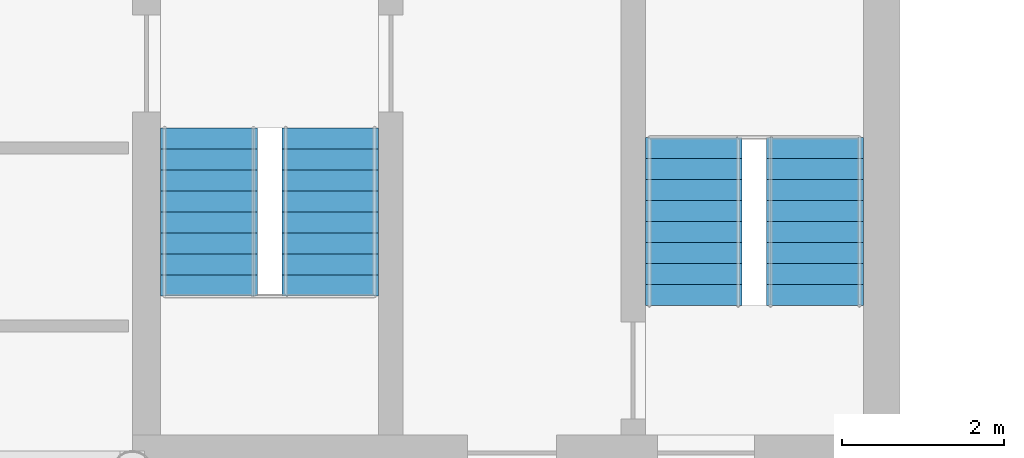
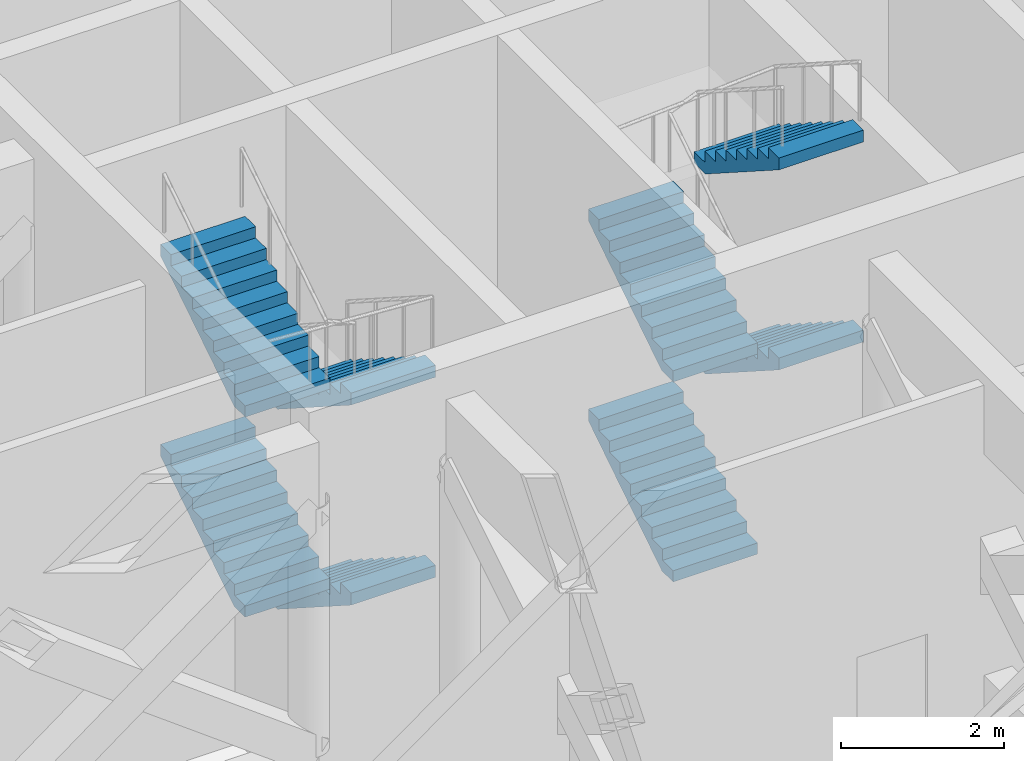
# One storey, part 16 of 20: 8 stair flights, 2 elements without a shape of their own.
"""IFC4 building model written with IfcOpenShell, lengths in metres."""

from ifc_helpers import new_model, si_unit, direction, frame, origin, place, context, subcontext, project, spatial, polyline, outline, extrude, material, type_object, element, aggregate, save


model = new_model("IFC4")

# Units and contexts
model_context = context("Model", 3, precision=1e-05, world=origin(), true_north=direction((0.0, 1.0)))
body_context = subcontext(model_context, "Body", "Model", "MODEL_VIEW")
ifc_project = project(units=[si_unit("LENGTHUNIT", "METRE"), si_unit("AREAUNIT", "SQUARE_METRE"), si_unit("VOLUMEUNIT", "CUBIC_METRE"), si_unit("PLANEANGLEUNIT", "RADIAN"), si_unit("MASSUNIT", "GRAM", prefix="KILO")], contexts=[model_context])

# Site, building, storey
site_placement = place(None, origin())
site = spatial("IfcSite", under=ifc_project, at=site_placement, CompositionType="ELEMENT")
building_placement = place(site_placement, origin())
building = spatial("IfcBuilding", under=site, at=building_placement, Name="Torana Hotel and Residences", CompositionType="ELEMENT")
storey_placement = place(building_placement, frame((0.0, 0.0, 18.0)))
storey = spatial("IfcBuildingStorey", under=building, at=storey_placement, Name="L03", CompositionType="ELEMENT", Elevation=18.0)

# Stair, stair flights
ifc_material_1 = material(Name="Concrete C40/50 precast", Category="concrete")
stair_type_1 = type_object("IfcStairType", Name="STAIR ST3 HALF TURN 1200", PredefinedType="HALF_TURN_STAIR", material=ifc_material_1)
stair_1_placement = place(storey_placement, origin())
stair_1 = element("IfcStair", 1, at=stair_1_placement, inside=storey, type_object=stair_type_1, Name="Stair ST3 L03", PredefinedType="HALF_TURN_STAIR")
ifc_material_2 = material(Name="Concrete C40/50 precast", Category="concrete")
stair_flight_type = type_object("IfcStairFlightType", Name="STAIR FLIGHT 1200 PRECAST", PredefinedType="STRAIGHT", material=ifc_material_2)
stair_flight_1_placement = place(storey_placement, frame((12.449951171875, -10.75, 0.0), z_axis=(0.0, 0.0, 1.0), x_axis=(0.0, -1.0, 0.0)))
stair_flight_1 = element("IfcStairFlight", 2, at=stair_flight_1_placement, type_object=stair_flight_type, Name="ST3 flight 1", NumberOfRisers=9, NumberOfTreads=8, PredefinedType="STRAIGHT", RiserHeight=0.166666667, TreadLength=0.26, context=body_context, shape_type="SweptSolid", body=[
    extrude(outline(polyline([(0.0, 0.0), (0.0, 0.166748046875), (0.260009765625, 0.166748046875), (0.260009765625, 0.333251953125), (0.52001953125, 0.333251953125), (0.52001953125, 0.5), (0.780029296875, 0.5), (0.780029296875, 0.666748046875), (1.0400390625, 0.666748046875), (1.0400390625, 0.833251953125), (1.300048828125, 0.833251953125), (1.300048828125, 1.0), (1.56005859375, 1.0), (1.56005859375, 1.166748046875), (1.820068359375, 1.166748046875), (1.820068359375, 1.333251953125), (2.080078125, 1.333251953125), (2.080078125, 1.5), (2.080078125, 1.1552734375), (0.27783203125, 0.0), (0.0, 0.0)])), frame((0.0, 0.60009765625, 0.0), z_axis=(0.0, -1.0, 0.0), x_axis=(1.0, 0.0, 0.0)), (0.0, 0.0, 1.0), 1.199951171875),
])
stair_flight_2_placement = place(storey_placement, frame((10.949951171875, -12.830078125, 1.5), z_axis=(0.0, 0.0, 1.0), x_axis=(0.0, 1.0, 0.0)))
stair_flight_2 = element("IfcStairFlight", 3, at=stair_flight_2_placement, type_object=stair_flight_type, Name="ST3 flight 2", NumberOfRisers=9, NumberOfTreads=8, PredefinedType="STRAIGHT", RiserHeight=0.166666667, TreadLength=0.26, context=body_context, shape_type="SweptSolid", body=[
    extrude(outline(polyline([(0.0, 0.0), (0.0, 0.166748046875), (0.260009765625, 0.166748046875), (0.260009765625, 0.333251953125), (0.52001953125, 0.333251953125), (0.52001953125, 0.5), (0.780029296875, 0.5), (0.780029296875, 0.666748046875), (1.0400390625, 0.666748046875), (1.0400390625, 0.833251953125), (1.300048828125, 0.833251953125), (1.300048828125, 1.0), (1.56005859375, 1.0), (1.56005859375, 1.166748046875), (1.820068359375, 1.166748046875), (1.820068359375, 1.333251953125), (2.080078125, 1.333251953125), (2.080078125, 1.5), (2.080078125, 1.1552734375), (0.27783203125, 0.0), (0.0, 0.0)])), frame((0.0, 0.60009765625, 0.0), z_axis=(0.0, -1.0, 0.0), x_axis=(1.0, 0.0, 0.0)), (0.0, 0.0, 1.0), 1.199951171875),
])
stair_flight_3_placement = place(storey_placement, frame((12.449951171875, -10.75, 3.0), z_axis=(0.0, 0.0, 1.0), x_axis=(0.0, -1.0, 0.0)))
stair_flight_3 = element("IfcStairFlight", 4, at=stair_flight_3_placement, type_object=stair_flight_type, Name="ST3 flight 3", NumberOfRisers=9, NumberOfTreads=8, PredefinedType="STRAIGHT", RiserHeight=0.166666667, TreadLength=0.26, context=body_context, shape_type="SweptSolid", body=[
    extrude(outline(polyline([(0.0, 0.0), (0.0, 0.166748046875), (0.260009765625, 0.166748046875), (0.260009765625, 0.333251953125), (0.52001953125, 0.333251953125), (0.52001953125, 0.5), (0.780029296875, 0.5), (0.780029296875, 0.666748046875), (1.0400390625, 0.666748046875), (1.0400390625, 0.833251953125), (1.300048828125, 0.833251953125), (1.300048828125, 1.0), (1.56005859375, 1.0), (1.56005859375, 1.166748046875), (1.820068359375, 1.166748046875), (1.820068359375, 1.333251953125), (2.080078125, 1.333251953125), (2.080078125, 1.5), (2.080078125, 1.1552734375), (0.27783203125, 0.0), (0.0, 0.0)])), frame((0.0, 0.60009765625, 0.0), z_axis=(0.0, -1.0, 0.0), x_axis=(1.0, 0.0, 0.0)), (0.0, 0.0, 1.0), 1.199951171875),
])
stair_flight_4_placement = place(storey_placement, frame((10.949951171875, -12.830078125, 4.5), z_axis=(0.0, 0.0, 1.0), x_axis=(0.0, 1.0, 0.0)))
stair_flight_4 = element("IfcStairFlight", 5, at=stair_flight_4_placement, type_object=stair_flight_type, Name="ST3 flight 4", NumberOfRisers=9, NumberOfTreads=8, PredefinedType="STRAIGHT", RiserHeight=0.166666667, TreadLength=0.26, context=body_context, shape_type="SweptSolid", body=[
    extrude(outline(polyline([(0.0, 0.0), (0.0, 0.166748046875), (0.260009765625, 0.166748046875), (0.260009765625, 0.333251953125), (0.52001953125, 0.333251953125), (0.52001953125, 0.5), (0.780029296875, 0.5), (0.780029296875, 0.666748046875), (1.0400390625, 0.666748046875), (1.0400390625, 0.833251953125), (1.300048828125, 0.833251953125), (1.300048828125, 1.0), (1.56005859375, 1.0), (1.56005859375, 1.166748046875), (1.820068359375, 1.166748046875), (1.820068359375, 1.333251953125), (2.080078125, 1.333251953125), (2.080078125, 1.5), (2.080078125, 1.1552734375), (0.27783203125, 0.0), (0.0, 0.0)])), frame((0.0, 0.60009765625, 0.0), z_axis=(0.0, -1.0, 0.0), x_axis=(1.0, 0.0, 0.0)), (0.0, 0.0, 1.0), 1.199951171875),
])
aggregate(stair_1, [stair_flight_1, stair_flight_2, stair_flight_3, stair_flight_4])

ifc_material_3 = material(Name="Concrete C40/50 precast", Category="concrete")
stair_type_2 = type_object("IfcStairType", Name="STAIR ST4 HALF TURN 1200", PredefinedType="HALF_TURN_STAIR", material=ifc_material_3)
stair_2_placement = place(storey_placement, origin())
stair_2 = element("IfcStair", 6, at=stair_2_placement, inside=storey, type_object=stair_type_2, Name="Stair ST4 L03", PredefinedType="HALF_TURN_STAIR")
stair_flight_5_placement = place(storey_placement, frame((16.949951171875, -12.949951171875, 0.0), z_axis=(0.0, 0.0, 1.0), x_axis=(0.0, 1.0, 0.0)))
stair_flight_5 = element("IfcStairFlight", 7, at=stair_flight_5_placement, type_object=stair_flight_type, Name="ST4 flight 1", NumberOfRisers=9, NumberOfTreads=8, PredefinedType="STRAIGHT", RiserHeight=0.166666667, TreadLength=0.26, context=body_context, shape_type="SweptSolid", body=[
    extrude(outline(polyline([(0.0, 0.0), (0.0, 0.166748046875), (0.260009765625, 0.166748046875), (0.260009765625, 0.333251953125), (0.52001953125, 0.333251953125), (0.52001953125, 0.5), (0.780029296875, 0.5), (0.780029296875, 0.666748046875), (1.0400390625, 0.666748046875), (1.0400390625, 0.833251953125), (1.300048828125, 0.833251953125), (1.300048828125, 1.0), (1.56005859375, 1.0), (1.56005859375, 1.166748046875), (1.820068359375, 1.166748046875), (1.820068359375, 1.333251953125), (2.080078125, 1.333251953125), (2.080078125, 1.5), (2.080078125, 1.1552734375), (0.27783203125, 0.0), (0.0, 0.0)])), frame((0.0, 0.60009765625, 0.0), z_axis=(0.0, -1.0, 0.0), x_axis=(1.0, 0.0, 0.0)), (0.0, 0.0, 1.0), 1.199951171875),
])
stair_flight_6_placement = place(storey_placement, frame((18.449951171875, -10.8701171875, 1.5), z_axis=(0.0, 0.0, 1.0), x_axis=(0.0, -1.0, 0.0)))
stair_flight_6 = element("IfcStairFlight", 8, at=stair_flight_6_placement, type_object=stair_flight_type, Name="ST4 flight 2", NumberOfRisers=9, NumberOfTreads=8, PredefinedType="STRAIGHT", RiserHeight=0.166666667, TreadLength=0.26, context=body_context, shape_type="SweptSolid", body=[
    extrude(outline(polyline([(0.0, 0.0), (0.0, 0.166748046875), (0.260009765625, 0.166748046875), (0.260009765625, 0.333251953125), (0.52001953125, 0.333251953125), (0.52001953125, 0.5), (0.780029296875, 0.5), (0.780029296875, 0.666748046875), (1.0400390625, 0.666748046875), (1.0400390625, 0.833251953125), (1.300048828125, 0.833251953125), (1.300048828125, 1.0), (1.56005859375, 1.0), (1.56005859375, 1.166748046875), (1.820068359375, 1.166748046875), (1.820068359375, 1.333251953125), (2.080078125, 1.333251953125), (2.080078125, 1.5), (2.080078125, 1.1552734375), (0.27783203125, 0.0), (0.0, 0.0)])), frame((0.0, 0.60009765625, 0.0), z_axis=(0.0, -1.0, 0.0), x_axis=(1.0, 0.0, 0.0)), (0.0, 0.0, 1.0), 1.199951171875),
])
stair_flight_7_placement = place(storey_placement, frame((16.949951171875, -12.949951171875, 3.0), z_axis=(0.0, 0.0, 1.0), x_axis=(0.0, 1.0, 0.0)))
stair_flight_7 = element("IfcStairFlight", 9, at=stair_flight_7_placement, type_object=stair_flight_type, Name="ST4 flight 3", NumberOfRisers=9, NumberOfTreads=8, PredefinedType="STRAIGHT", RiserHeight=0.166666667, TreadLength=0.26, context=body_context, shape_type="SweptSolid", body=[
    extrude(outline(polyline([(0.0, 0.0), (0.0, 0.166748046875), (0.260009765625, 0.166748046875), (0.260009765625, 0.333251953125), (0.52001953125, 0.333251953125), (0.52001953125, 0.5), (0.780029296875, 0.5), (0.780029296875, 0.666748046875), (1.0400390625, 0.666748046875), (1.0400390625, 0.833251953125), (1.300048828125, 0.833251953125), (1.300048828125, 1.0), (1.56005859375, 1.0), (1.56005859375, 1.166748046875), (1.820068359375, 1.166748046875), (1.820068359375, 1.333251953125), (2.080078125, 1.333251953125), (2.080078125, 1.5), (2.080078125, 1.1552734375), (0.27783203125, 0.0), (0.0, 0.0)])), frame((0.0, 0.60009765625, 0.0), z_axis=(0.0, -1.0, 0.0), x_axis=(1.0, 0.0, 0.0)), (0.0, 0.0, 1.0), 1.199951171875),
])
stair_flight_8_placement = place(storey_placement, frame((18.449951171875, -10.8701171875, 4.5), z_axis=(0.0, 0.0, 1.0), x_axis=(0.0, -1.0, 0.0)))
stair_flight_8 = element("IfcStairFlight", 10, at=stair_flight_8_placement, type_object=stair_flight_type, Name="ST4 flight 4", NumberOfRisers=9, NumberOfTreads=8, PredefinedType="STRAIGHT", RiserHeight=0.166666667, TreadLength=0.26, context=body_context, shape_type="SweptSolid", body=[
    extrude(outline(polyline([(0.0, 0.0), (0.0, 0.166748046875), (0.260009765625, 0.166748046875), (0.260009765625, 0.333251953125), (0.52001953125, 0.333251953125), (0.52001953125, 0.5), (0.780029296875, 0.5), (0.780029296875, 0.666748046875), (1.0400390625, 0.666748046875), (1.0400390625, 0.833251953125), (1.300048828125, 0.833251953125), (1.300048828125, 1.0), (1.56005859375, 1.0), (1.56005859375, 1.166748046875), (1.820068359375, 1.166748046875), (1.820068359375, 1.333251953125), (2.080078125, 1.333251953125), (2.080078125, 1.5), (2.080078125, 1.1552734375), (0.27783203125, 0.0), (0.0, 0.0)])), frame((0.0, 0.60009765625, 0.0), z_axis=(0.0, -1.0, 0.0), x_axis=(1.0, 0.0, 0.0)), (0.0, 0.0, 1.0), 1.199951171875),
])
aggregate(stair_2, [stair_flight_5, stair_flight_6, stair_flight_7, stair_flight_8])

save(model, "model.ifc")
